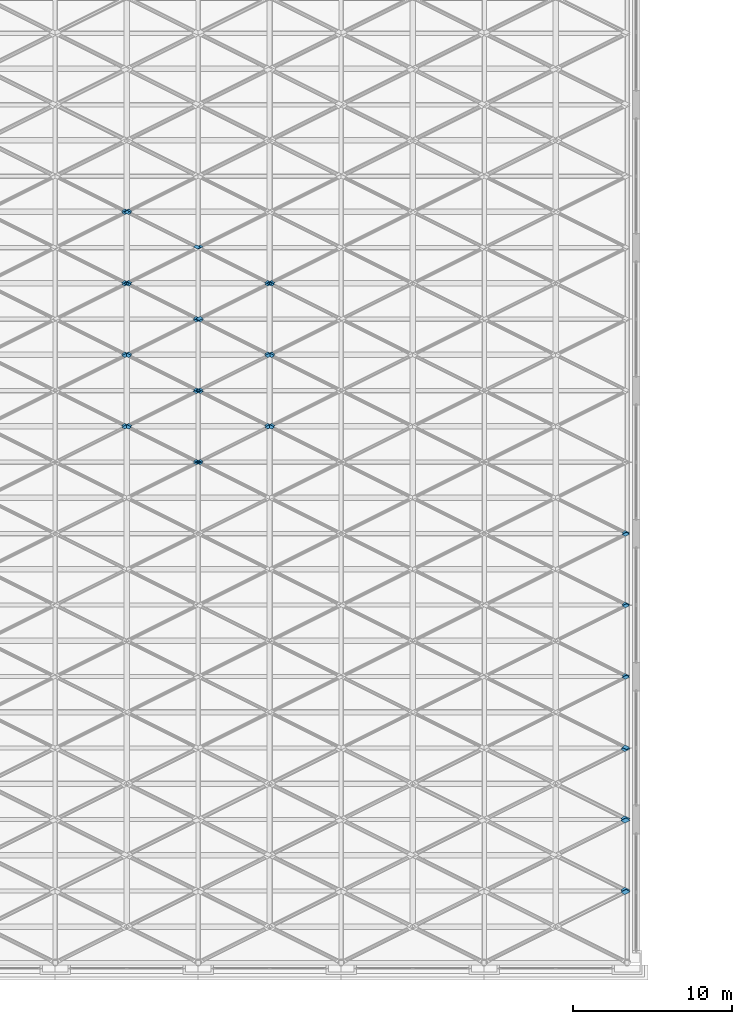
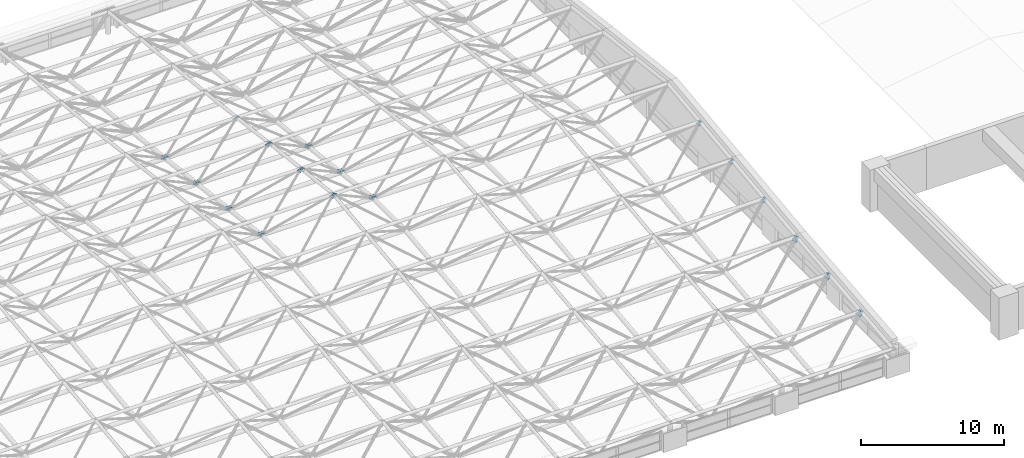
# One storey, part 47 of 53: 54 discrete accessories.
"""IFC4 building model written with IfcOpenShell, lengths in metres."""

from ifc_helpers import new_model, si_unit, direction, frame, origin, place, context, subcontext, project, spatial, polyline, outline, extrude, material, layer, layer_set, type_object, element, save


model = new_model("IFC4")

# Units and contexts
model_context = context("Model", 3, precision=1e-05, world=origin(), true_north=direction((0.0, 1.0)))
body_context = subcontext(model_context, "Body", "Model", "MODEL_VIEW")
ifc_project = project(units=[si_unit("LENGTHUNIT", "METRE"), si_unit("AREAUNIT", "SQUARE_METRE"), si_unit("VOLUMEUNIT", "CUBIC_METRE"), si_unit("PLANEANGLEUNIT", "RADIAN"), si_unit("MASSUNIT", "GRAM", prefix="KILO")], contexts=[model_context])

# Site, building, storey
site_placement = place(None, origin())
site = spatial("IfcSite", under=ifc_project, at=site_placement, CompositionType="ELEMENT")
building_placement = place(site_placement, origin())
building = spatial("IfcBuilding", under=site, at=building_placement, Name="Aravalli Gate Trade Fair Centre", CompositionType="ELEMENT")
storey_placement = place(building_placement, frame((0.0, 0.0, 25.199951171875)))
storey = spatial("IfcBuildingStorey", under=building, at=storey_placement, Name="ROOF LEVEL 2", CompositionType="ELEMENT", Elevation=25.199951171875)

# Discrete accessories
ifc_material = material(Name="Steel E350", Category="steel")
ifc_layer_1 = layer(ifc_material, 0.011962890625)
ifc_layer_set_1 = layer_set([ifc_layer_1], Name="Steel E350")
discrete_accessory_type_1 = type_object("IfcDiscreteAccessoryType", Name="Gusset plate 291 x 291 x 12", PredefinedType="USERDEFINED", material=ifc_layer_set_1)
for number, where, z_axis, x_axis, name in (
    (1, (104.681884765625, 59.546142578125, 3.103515625), (6.9765199e-05, 0.771154883137, 0.636647580178), (0.786233023991, -0.393446013556, 0.476484906794), "Gusset plate Space frame web diagonal D2B end A"),
    (2, (104.681884765625, 64.046142578125, 3.653564453125), (6.9765199e-05, 0.771154883137, 0.636647580178), (0.786233023991, -0.393446013556, 0.476484906794), "Gusset plate Space frame web diagonal D2B end A"),
):
    element("IfcDiscreteAccessory", number, at=place(storey_placement, frame(where, z_axis=z_axis, x_axis=x_axis)), inside=storey, type_object=discrete_accessory_type_1, Name=name, ObjectType="GUSSET PLATE", PredefinedType="USERDEFINED", context=body_context, shape_type="SweptSolid", body=[
        extrude(outline(polyline([(0.0, 0.0), (0.37044967171058096, 2.7755575615628914e-17), (0.3702947268495056, 0.290591407927876), (-0.0003468962829482891, 0.29044054608337494), (0.0, 0.0)])), origin(), (0.0, 0.0, -1.0), 0.011962890625),
    ])
discrete_accessory_1_placement = place(storey_placement, frame((104.68603515625, 63.94775390625, 3.634765625), z_axis=(5.9235462e-05, -0.824355565608, 0.566072343383), x_axis=(0.749660070237, 0.374676343996, 0.545552395598)))
element("IfcDiscreteAccessory", 3, at=discrete_accessory_1_placement, inside=storey, type_object=discrete_accessory_type_1, Name="Gusset plate Space frame web diagonal D2D end A", ObjectType="GUSSET PLATE", PredefinedType="USERDEFINED", context=body_context, shape_type="SweptSolid", body=[
    extrude(outline(polyline([(0.0, 0.0), (0.3706106892622231, -1.3877787807814457e-17), (0.3705593979521325, -0.2903753701380719), (-1.4603348369723879e-06, -0.29068782905287593), (0.0, 0.0)])), origin(), (0.0, 0.0, -1.0), 0.011962890625),
])
discrete_accessory_2_placement = place(storey_placement, frame((104.68603515625, 68.44775390625, 4.1845703125), z_axis=(5.9235462e-05, -0.824355565608, 0.566072343383), x_axis=(0.749390667151, 0.374849001628, 0.545803860343)))
element("IfcDiscreteAccessory", 4, at=discrete_accessory_2_placement, inside=storey, type_object=discrete_accessory_type_1, Name="Gusset plate Space frame web diagonal D2D end A", ObjectType="GUSSET PLATE", PredefinedType="USERDEFINED", context=body_context, shape_type="SweptSolid", body=[
    extrude(outline(polyline([(0.0, 0.0), (0.37074391146695085, 0.0), (0.3704411936966931, -0.2905261520174016), (1.3491831181253189e-05, -0.2905369775865267), (0.0, 0.0)])), origin(), (0.0, 0.0, -1.0), 0.011962890625),
])
for number, where, z_axis, x_axis, name in (
    (5, (104.681884765625, 68.546142578125, 4.203369140625), (-0.000259688153, 0.77158167438, 0.636130216483), (0.785986034617, -0.393126352276, 0.477155765483), "Gusset plate Space frame web diagonal D3B end A"),
    (6, (104.681884765625, 73.046142578125, 4.743408203125), (-0.000259688153, 0.77158167438, 0.636130216483), (0.785986034617, -0.393126352276, 0.477155765483), "Gusset plate Space frame web diagonal D3B end A"),
):
    element("IfcDiscreteAccessory", number, at=place(storey_placement, frame(where, z_axis=z_axis, x_axis=x_axis)), inside=storey, type_object=discrete_accessory_type_1, Name=name, ObjectType="GUSSET PLATE", PredefinedType="USERDEFINED", context=body_context, shape_type="SweptSolid", body=[
        extrude(outline(polyline([(0.0, 0.0), (0.3705660512246577, 1.3877787807814457e-17), (0.3702950470274762, 0.2905913076038385), (-0.0001750260838329909, 0.2904692096111498), (0.0, 0.0)])), origin(), (0.0, 0.0, -1.0), 0.011962890625),
    ])
discrete_accessory_3_placement = place(storey_placement, frame((78.121826171875, 77.324462890625, 5.08544921875), z_axis=(0.000136804439, -0.823750482353, 0.566952488404), x_axis=(-0.749929392198, 0.374964696099, 0.54498383774)))
element("IfcDiscreteAccessory", 7, at=discrete_accessory_3_placement, inside=storey, type_object=discrete_accessory_type_1, Name="Gusset plate Space frame web diagonal D3C end A", ObjectType="GUSSET PLATE", PredefinedType="USERDEFINED", context=body_context, shape_type="SweptSolid", body=[
    extrude(outline(polyline([(0.0, 0.0), (0.37047758647752815, -1.3877787807814457e-17), (0.37050220203048867, -0.2904791260615137), (2.461555296055795e-05, -0.2904791260615137), (0.0, 0.0)])), origin(), (0.0, 0.0, -1.0), 0.011962890625),
])
for number, where, z_axis, x_axis, name in (
    (8, (104.68603515625, 72.947998046875, 4.724853515625), (-0.000136804439, -0.823750482353, 0.566952488404), (0.749929392198, 0.374964696099, 0.54498383774), "Gusset plate Space frame web diagonal D3D end A"),
    (9, (77.68603515625, 77.447998046875, 5.264892578125), (-0.000136804439, -0.823750482353, 0.566952488404), (0.749929392198, 0.374964696099, 0.54498383774), "Gusset plate Space frame web diagonal D3D end A"),
    (10, (73.18603515625, 79.707763671875, 2.132080078125), (0.000136804439, 0.823750482353, 0.566952488404), (0.749929392198, 0.374964696099, -0.54498383774), "Gusset plate Space frame web diagonal D4A end B"),
):
    element("IfcDiscreteAccessory", number, at=place(storey_placement, frame(where, z_axis=z_axis, x_axis=x_axis)), inside=storey, type_object=discrete_accessory_type_1, Name=name, ObjectType="GUSSET PLATE", PredefinedType="USERDEFINED", context=body_context, shape_type="SweptSolid", body=[
        extrude(outline(polyline([(0.0, 0.0), (0.37047758647752815, 1.3877787807814457e-17), (0.37045297092456764, -0.2904791260615137), (-2.461555296055795e-05, -0.2904791260615137), (0.0, 0.0)])), origin(), (0.0, 0.0, -1.0), 0.011962890625),
    ])
discrete_accessory_4_placement = place(storey_placement, frame((78.121826171875, 77.675537109375, 5.08544921875), z_axis=(0.000136804439, 0.823750482353, 0.566952488404), x_axis=(-0.749929392198, -0.374964696099, 0.54498383774)))
element("IfcDiscreteAccessory", 11, at=discrete_accessory_4_placement, inside=storey, type_object=discrete_accessory_type_1, Name="Gusset plate Space frame web diagonal D4A end A", ObjectType="GUSSET PLATE", PredefinedType="USERDEFINED", context=body_context, shape_type="SweptSolid", body=[
    extrude(outline(polyline([(0.0, 0.0), (0.37047758647752815, 1.3877787807814457e-17), (0.37050220203048867, 0.2904791260615137), (2.461555296055795e-05, 0.2904791260615137), (0.0, 0.0)])), origin(), (0.0, 0.0, -1.0), 0.011962890625),
])
for number, where, z_axis, x_axis, name in (
    (12, (82.18603515625, 79.707763671875, 2.132080078125), (0.000136804439, 0.823750482353, 0.566952488404), (0.749929392198, 0.374964696099, -0.54498383774), "Gusset plate Space frame web diagonal D4A end B"),
    (13, (73.18603515625, 84.207763671875, 1.592041015625), (0.000136804439, 0.823750482353, 0.566952488404), (0.749929392198, 0.374964696099, -0.54498383774), "Gusset plate Space frame web diagonal D4A end B"),
):
    element("IfcDiscreteAccessory", number, at=place(storey_placement, frame(where, z_axis=z_axis, x_axis=x_axis)), inside=storey, type_object=discrete_accessory_type_1, Name=name, ObjectType="GUSSET PLATE", PredefinedType="USERDEFINED", context=body_context, shape_type="SweptSolid", body=[
        extrude(outline(polyline([(0.0, 0.0), (0.37047758647752815, 1.3877787807814457e-17), (0.37045297092456764, -0.2904791260615137), (-2.461555296055795e-05, -0.2904791260615137), (0.0, 0.0)])), origin(), (0.0, 0.0, -1.0), 0.011962890625),
    ])
discrete_accessory_5_placement = place(storey_placement, frame((78.121826171875, 82.175537109375, 4.54541015625), z_axis=(0.000136804439, 0.823750482353, 0.566952488404), x_axis=(-0.749929392198, -0.374964696099, 0.54498383774)))
element("IfcDiscreteAccessory", 14, at=discrete_accessory_5_placement, inside=storey, type_object=discrete_accessory_type_1, Name="Gusset plate Space frame web diagonal D4A end A", ObjectType="GUSSET PLATE", PredefinedType="USERDEFINED", context=body_context, shape_type="SweptSolid", body=[
    extrude(outline(polyline([(0.0, 0.0), (0.37047758647752815, 1.3877787807814457e-17), (0.37050220203048867, 0.2904791260615137), (2.461555296055795e-05, 0.2904791260615137), (0.0, 0.0)])), origin(), (0.0, 0.0, -1.0), 0.011962890625),
])
discrete_accessory_6_placement = place(storey_placement, frame((82.18603515625, 84.207763671875, 1.592041015625), z_axis=(0.000136804439, 0.823750482353, 0.566952488404), x_axis=(0.749929392198, 0.374964696099, -0.54498383774)))
element("IfcDiscreteAccessory", 15, at=discrete_accessory_6_placement, inside=storey, type_object=discrete_accessory_type_1, Name="Gusset plate Space frame web diagonal D4A end B", ObjectType="GUSSET PLATE", PredefinedType="USERDEFINED", context=body_context, shape_type="SweptSolid", body=[
    extrude(outline(polyline([(0.0, 0.0), (0.37047758647752815, 1.3877787807814457e-17), (0.37045297092456764, -0.2904791260615137), (-2.461555296055795e-05, -0.2904791260615137), (0.0, 0.0)])), origin(), (0.0, 0.0, -1.0), 0.011962890625),
])
discrete_accessory_7_placement = place(storey_placement, frame((77.68603515625, 77.552001953125, 5.264892578125), z_axis=(-0.000136804439, 0.823750482353, 0.566952488404), x_axis=(0.749929392198, -0.374964696099, 0.54498383774)))
element("IfcDiscreteAccessory", 16, at=discrete_accessory_7_placement, inside=storey, type_object=discrete_accessory_type_1, Name="Gusset plate Space frame web diagonal D4B end A", ObjectType="GUSSET PLATE", PredefinedType="USERDEFINED", context=body_context, shape_type="SweptSolid", body=[
    extrude(outline(polyline([(0.0, 0.0), (0.37047758647752815, -1.3877787807814457e-17), (0.37045297092456764, 0.2904791260615137), (-2.461555296055795e-05, 0.2904791260615137), (0.0, 0.0)])), origin(), (0.0, 0.0, -1.0), 0.011962890625),
])
for number, where, z_axis, x_axis, name in (
    (17, (73.621826171875, 79.584228515625, 2.3115234375), (-0.000136804439, 0.823750482353, 0.566952488404), (-0.749929392198, 0.374964696099, -0.54498383774), "Gusset plate Space frame web diagonal D4B end B"),
    (18, (82.621826171875, 79.584228515625, 2.3115234375), (-0.000136804439, 0.823750482353, 0.566952488404), (-0.749929392198, 0.374964696099, -0.54498383774), "Gusset plate Space frame web diagonal D4B end B"),
):
    element("IfcDiscreteAccessory", number, at=place(storey_placement, frame(where, z_axis=z_axis, x_axis=x_axis)), inside=storey, type_object=discrete_accessory_type_1, Name=name, ObjectType="GUSSET PLATE", PredefinedType="USERDEFINED", context=body_context, shape_type="SweptSolid", body=[
        extrude(outline(polyline([(0.0, 0.0), (0.37047758647752815, -1.3877787807814457e-17), (0.37050220203048867, -0.2904791260615137), (2.461555296055795e-05, -0.2904791260615137), (0.0, 0.0)])), origin(), (0.0, 0.0, -1.0), 0.011962890625),
    ])
discrete_accessory_8_placement = place(storey_placement, frame((77.68603515625, 82.052001953125, 4.724853515625), z_axis=(-0.000136804439, 0.823750482353, 0.566952488404), x_axis=(0.749929392198, -0.374964696099, 0.54498383774)))
element("IfcDiscreteAccessory", 19, at=discrete_accessory_8_placement, inside=storey, type_object=discrete_accessory_type_1, Name="Gusset plate Space frame web diagonal D4B end A", ObjectType="GUSSET PLATE", PredefinedType="USERDEFINED", context=body_context, shape_type="SweptSolid", body=[
    extrude(outline(polyline([(0.0, 0.0), (0.37047758647752815, -1.3877787807814457e-17), (0.37045297092456764, 0.2904791260615137), (-2.461555296055795e-05, 0.2904791260615137), (0.0, 0.0)])), origin(), (0.0, 0.0, -1.0), 0.011962890625),
])
for number, where, z_axis, x_axis, name in (
    (20, (73.621826171875, 84.084228515625, 1.771484375), (-0.000136804439, 0.823750482353, 0.566952488404), (-0.749929392198, 0.374964696099, -0.54498383774), "Gusset plate Space frame web diagonal D4B end B"),
    (21, (82.621826171875, 84.084228515625, 1.771484375), (-0.000136804439, 0.823750482353, 0.566952488404), (-0.749929392198, 0.374964696099, -0.54498383774), "Gusset plate Space frame web diagonal D4B end B"),
):
    element("IfcDiscreteAccessory", number, at=place(storey_placement, frame(where, z_axis=z_axis, x_axis=x_axis)), inside=storey, type_object=discrete_accessory_type_1, Name=name, ObjectType="GUSSET PLATE", PredefinedType="USERDEFINED", context=body_context, shape_type="SweptSolid", body=[
        extrude(outline(polyline([(0.0, 0.0), (0.37047758647752815, -1.3877787807814457e-17), (0.37050220203048867, -0.2904791260615137), (2.461555296055795e-05, -0.2904791260615137), (0.0, 0.0)])), origin(), (0.0, 0.0, -1.0), 0.011962890625),
    ])
discrete_accessory_9_placement = place(storey_placement, frame((73.181884765625, 79.786865234375, 2.1142578125), z_axis=(0.000259222443, -0.771843687699, 0.635812279342), x_axis=(0.78618965885, -0.392765328311, -0.477117613586)))
element("IfcDiscreteAccessory", 22, at=discrete_accessory_9_placement, inside=storey, type_object=discrete_accessory_type_1, Name="Gusset plate Space frame web diagonal D4C end B", ObjectType="GUSSET PLATE", PredefinedType="USERDEFINED", context=body_context, shape_type="SweptSolid", body=[
    extrude(outline(polyline([(0.0, 0.0), (0.3704701052045229, 2.7755575615628914e-17), (0.3703907868210381, 0.2904692667840814), (-7.931838348480824e-05, 0.2904692667840814), (0.0, 0.0)])), origin(), (0.0, 0.0, -1.0), 0.011962890625),
])
discrete_accessory_10_placement = place(storey_placement, frame((78.138671875, 81.80859375, 4.567138671875), z_axis=(0.000259688153, -0.77158167438, 0.636130216483), x_axis=(-0.786189750281, 0.392961505637, 0.476955901148)))
element("IfcDiscreteAccessory", 23, at=discrete_accessory_10_placement, inside=storey, type_object=discrete_accessory_type_1, Name="Gusset plate Space frame web diagonal D4C end A", ObjectType="GUSSET PLATE", PredefinedType="USERDEFINED", context=body_context, shape_type="SweptSolid", body=[
    extrude(outline(polyline([(0.0, 0.0), (0.37047009323158403, 1.3877787807814457e-17), (0.3706453255393415, -0.29059138113822636), (7.929444017017173e-05, -0.29046925152010133), (0.0, 0.0)])), origin(), (0.0, 0.0, -1.0), 0.011962890625),
])
discrete_accessory_11_placement = place(storey_placement, frame((82.181884765625, 79.786865234375, 2.1142578125), z_axis=(0.000259222443, -0.771843687699, 0.635812279342), x_axis=(0.78618965885, -0.392765328311, -0.477117613586)))
element("IfcDiscreteAccessory", 24, at=discrete_accessory_11_placement, inside=storey, type_object=discrete_accessory_type_1, Name="Gusset plate Space frame web diagonal D4C end B", ObjectType="GUSSET PLATE", PredefinedType="USERDEFINED", context=body_context, shape_type="SweptSolid", body=[
    extrude(outline(polyline([(0.0, 0.0), (0.3704701052045229, 2.7755575615628914e-17), (0.3703907868210381, 0.2904692667840814), (-7.931838348480824e-05, 0.2904692667840814), (0.0, 0.0)])), origin(), (0.0, 0.0, -1.0), 0.011962890625),
])
discrete_accessory_12_placement = place(storey_placement, frame((73.181884765625, 84.286865234375, 1.574462890625), z_axis=(0.000589123978, -0.771792295466, 0.635874441689), x_axis=(0.785942550469, -0.392803472142, -0.477493182816)))
element("IfcDiscreteAccessory", 25, at=discrete_accessory_12_placement, inside=storey, type_object=discrete_accessory_type_1, Name="Gusset plate Space frame web diagonal D4C end B", ObjectType="GUSSET PLATE", PredefinedType="USERDEFINED", context=body_context, shape_type="SweptSolid", body=[
    extrude(outline(polyline([(0.0, 0.0), (0.3705866429803553, 2.7755575615628914e-17), (0.37039124031354775, 0.29046920151748473), (-7.882718272163303e-05, 0.29032116611826925), (0.0, 0.0)])), origin(), (0.0, 0.0, -1.0), 0.011962890625),
])
discrete_accessory_13_placement = place(storey_placement, frame((78.138671875, 86.30859375, 4.027099609375), z_axis=(0.000259688153, -0.77158167438, 0.636130216483), x_axis=(-0.786189750281, 0.392961505637, 0.476955901148)))
element("IfcDiscreteAccessory", 26, at=discrete_accessory_13_placement, inside=storey, type_object=discrete_accessory_type_1, Name="Gusset plate Space frame web diagonal D4C end A", ObjectType="GUSSET PLATE", PredefinedType="USERDEFINED", context=body_context, shape_type="SweptSolid", body=[
    extrude(outline(polyline([(0.0, 0.0), (0.37047009323158403, 1.3877787807814457e-17), (0.3706453255393415, -0.29059138113822636), (7.929444017017173e-05, -0.29046925152010133), (0.0, 0.0)])), origin(), (0.0, 0.0, -1.0), 0.011962890625),
])
discrete_accessory_14_placement = place(storey_placement, frame((82.181884765625, 84.286865234375, 1.574462890625), z_axis=(0.000589123978, -0.771792295466, 0.635874441689), x_axis=(0.785942550469, -0.392803472142, -0.477493182816)))
element("IfcDiscreteAccessory", 27, at=discrete_accessory_14_placement, inside=storey, type_object=discrete_accessory_type_1, Name="Gusset plate Space frame web diagonal D4C end B", ObjectType="GUSSET PLATE", PredefinedType="USERDEFINED", context=body_context, shape_type="SweptSolid", body=[
    extrude(outline(polyline([(0.0, 0.0), (0.3705866429803553, 2.7755575615628914e-17), (0.37039124031354775, 0.29046920151748473), (-7.882718272163303e-05, 0.29032116611826925), (0.0, 0.0)])), origin(), (0.0, 0.0, -1.0), 0.011962890625),
])
discrete_accessory_15_placement = place(storey_placement, frame((77.681884765625, 81.953857421875, 4.743408203125), z_axis=(-0.000259688153, -0.77158167438, 0.636130216483), x_axis=(0.785986034617, 0.393126352276, 0.477155765483)))
element("IfcDiscreteAccessory", 28, at=discrete_accessory_15_placement, inside=storey, type_object=discrete_accessory_type_1, Name="Gusset plate Space frame web diagonal D4D end A", ObjectType="GUSSET PLATE", PredefinedType="USERDEFINED", context=body_context, shape_type="SweptSolid", body=[
    extrude(outline(polyline([(0.0, 0.0), (0.3705660512246577, -1.3877787807814457e-17), (0.3702950470274762, -0.2905913076038385), (-0.0001750260838329909, -0.2904692096111498), (0.0, 0.0)])), origin(), (0.0, 0.0, -1.0), 0.011962890625),
])
for number, where, z_axis, x_axis, name in (
    (29, (73.638671875, 79.93212890625, 2.29052734375), (-0.000259222443, -0.771843687699, 0.635812279342), (-0.78618965885, -0.392765328311, -0.477117613586), "Gusset plate Space frame web diagonal D4D end B"),
    (30, (82.638671875, 79.93212890625, 2.29052734375), (-0.000259222443, -0.771843687699, 0.635812279342), (-0.78618965885, -0.392765328311, -0.477117613586), "Gusset plate Space frame web diagonal D4D end B"),
):
    element("IfcDiscreteAccessory", number, at=place(storey_placement, frame(where, z_axis=z_axis, x_axis=x_axis)), inside=storey, type_object=discrete_accessory_type_1, Name=name, ObjectType="GUSSET PLATE", PredefinedType="USERDEFINED", context=body_context, shape_type="SweptSolid", body=[
        extrude(outline(polyline([(0.0, 0.0), (0.3704701052045229, -2.7755575615628914e-17), (0.3705494235880077, 0.29046926678408136), (7.931838348480824e-05, 0.2904692667840814), (0.0, 0.0)])), origin(), (0.0, 0.0, -1.0), 0.011962890625),
    ])
discrete_accessory_16_placement = place(storey_placement, frame((77.681884765625, 86.453857421875, 4.203369140625), z_axis=(-0.000259688153, -0.77158167438, 0.636130216483), x_axis=(0.785986034617, 0.393126352276, 0.477155765483)))
element("IfcDiscreteAccessory", 31, at=discrete_accessory_16_placement, inside=storey, type_object=discrete_accessory_type_1, Name="Gusset plate Space frame web diagonal D4D end A", ObjectType="GUSSET PLATE", PredefinedType="USERDEFINED", context=body_context, shape_type="SweptSolid", body=[
    extrude(outline(polyline([(0.0, 0.0), (0.3705660512246577, -1.3877787807814457e-17), (0.3702950470274762, -0.2905913076038385), (-0.0001750260838329909, -0.2904692096111498), (0.0, 0.0)])), origin(), (0.0, 0.0, -1.0), 0.011962890625),
])
for number, where, z_axis, x_axis, name in (
    (32, (73.638671875, 84.43212890625, 1.75048828125), (-0.000589123978, -0.771792295466, 0.635874441689), (-0.786189552673, -0.392603629975, -0.477250853324), "Gusset plate Space frame web diagonal D4D end B"),
    (33, (82.638671875, 84.43212890625, 1.75048828125), (-0.000589123978, -0.771792295466, 0.635874441689), (-0.786189552673, -0.392603629975, -0.477250853324), "Gusset plate Space frame web diagonal D4D end B"),
):
    element("IfcDiscreteAccessory", number, at=place(storey_placement, frame(where, z_axis=z_axis, x_axis=x_axis)), inside=storey, type_object=discrete_accessory_type_1, Name=name, ObjectType="GUSSET PLATE", PredefinedType="USERDEFINED", context=body_context, shape_type="SweptSolid", body=[
        extrude(outline(polyline([(0.0, 0.0), (0.3704700970728539, -1.3877787807814457e-17), (0.37054943172141785, 0.29046925640835186), (-3.7181673048419794e-05, 0.2903211744387922), (0.0, 0.0)])), origin(), (0.0, 0.0, -1.0), 0.011962890625),
    ])
discrete_accessory_17_placement = place(storey_placement, frame((73.18603515625, 88.707763671875, 1.047119140625), z_axis=(-0.000356491483, 0.824386555112, 0.566027102411), x_axis=(0.749660046124, 0.374830119882, -0.545446786108)))
element("IfcDiscreteAccessory", 34, at=discrete_accessory_17_placement, inside=storey, type_object=discrete_accessory_type_1, Name="Gusset plate Space frame web diagonal D5A end B", ObjectType="GUSSET PLATE", PredefinedType="USERDEFINED", context=body_context, shape_type="SweptSolid", body=[
    extrude(outline(polyline([(0.0, 0.0), (0.37061069570280314, 0.0), (0.3704262257769532, -0.2905262593825685), (-1.4474536517566916e-06, -0.29068783726431885), (0.0, 0.0)])), origin(), (0.0, 0.0, -1.0), 0.011962890625),
])
discrete_accessory_18_placement = place(storey_placement, frame((78.12158203125, 86.675537109375, 4.005126953125), z_axis=(-5.9235462e-05, 0.824355565608, 0.566072343383), x_axis=(-0.74937131646, -0.374861397834, 0.545821914622)))
element("IfcDiscreteAccessory", 35, at=discrete_accessory_18_placement, inside=storey, type_object=discrete_accessory_type_1, Name="Gusset plate Space frame web diagonal D5A end A", ObjectType="GUSSET PLATE", PredefinedType="USERDEFINED", context=body_context, shape_type="SweptSolid", body=[
    extrude(outline(polyline([(0.0, 0.0), (0.3704277020236978, 0.0), (0.37073891027907924, 0.290526143046557), (-5.001029550574798e-06, 0.29053697785674903), (0.0, 0.0)])), origin(), (0.0, 0.0, -1.0), 0.011962890625),
])
discrete_accessory_19_placement = place(storey_placement, frame((82.18603515625, 88.707763671875, 1.047119140625), z_axis=(-0.000356491483, 0.824386555112, 0.566027102411), x_axis=(0.749660046124, 0.374830119882, -0.545446786108)))
element("IfcDiscreteAccessory", 36, at=discrete_accessory_19_placement, inside=storey, type_object=discrete_accessory_type_1, Name="Gusset plate Space frame web diagonal D5A end B", ObjectType="GUSSET PLATE", PredefinedType="USERDEFINED", context=body_context, shape_type="SweptSolid", body=[
    extrude(outline(polyline([(0.0, 0.0), (0.37061069570280314, 0.0), (0.3704262257769532, -0.2905262593825685), (-1.4474536517566916e-06, -0.29068783726431885), (0.0, 0.0)])), origin(), (0.0, 0.0, -1.0), 0.011962890625),
])
discrete_accessory_20_placement = place(storey_placement, frame((73.18603515625, 93.207763671875, 0.4970703125), z_axis=(-0.000338926475, 0.824215745649, 0.566275807141), x_axis=(0.749929468437, 0.374811008577, -0.545089442403)))
element("IfcDiscreteAccessory", 37, at=discrete_accessory_20_placement, inside=storey, type_object=discrete_accessory_type_1, Name="Gusset plate Space frame web diagonal D5A end B", ObjectType="GUSSET PLATE", PredefinedType="USERDEFINED", context=body_context, shape_type="SweptSolid", body=[
    extrude(outline(polyline([(0.0, 0.0), (0.3704775800363668, -1.3877787807814457e-17), (0.37054452148215117, -0.29037536695413646), (0.00011695121776518491, -0.29068780553250784), (0.0, 0.0)])), origin(), (0.0, 0.0, -1.0), 0.011962890625),
])
discrete_accessory_21_placement = place(storey_placement, frame((78.12158203125, 91.175537109375, 3.455078125), z_axis=(-5.9235462e-05, 0.824355565608, 0.566072343383), x_axis=(-0.74910175115, -0.37503400761, 0.546073309694)))
element("IfcDiscreteAccessory", 38, at=discrete_accessory_21_placement, inside=storey, type_object=discrete_accessory_type_1, Name="Gusset plate Space frame web diagonal D5A end A", ObjectType="GUSSET PLATE", PredefinedType="USERDEFINED", context=body_context, shape_type="SweptSolid", body=[
    extrude(outline(polyline([(0.0, 0.0), (0.37056099002046733, 1.3877787807814457e-17), (0.3708571273038952, 0.29037522366126584), (0.00024656979283793623, 0.29068772448272373), (0.0, 0.0)])), origin(), (0.0, 0.0, -1.0), 0.011962890625),
])
discrete_accessory_22_placement = place(storey_placement, frame((77.68603515625, 86.55224609375, 4.1845703125), z_axis=(5.9235462e-05, 0.824355565608, 0.566072343383), x_axis=(0.749390667151, -0.374849001628, 0.545803860343)))
element("IfcDiscreteAccessory", 39, at=discrete_accessory_22_placement, inside=storey, type_object=discrete_accessory_type_1, Name="Gusset plate Space frame web diagonal D5B end A", ObjectType="GUSSET PLATE", PredefinedType="USERDEFINED", context=body_context, shape_type="SweptSolid", body=[
    extrude(outline(polyline([(0.0, 0.0), (0.37074391146695085, 0.0), (0.3704411936966931, 0.2905261520174016), (1.3491831181253189e-05, 0.2905369775865267), (0.0, 0.0)])), origin(), (0.0, 0.0, -1.0), 0.011962890625),
])
for number, where, z_axis, x_axis, name in (
    (40, (73.62158203125, 88.58447265625, 1.226806640625), (0.000356491483, 0.824386555112, 0.566027102411), (-0.749371292409, 0.375015088164, -0.54571636384), "Gusset plate Space frame web diagonal D5B end B"),
    (41, (82.62158203125, 88.58447265625, 1.226806640625), (0.000356491483, 0.824386555112, 0.566027102411), (-0.749371292409, 0.375015088164, -0.54571636384), "Gusset plate Space frame web diagonal D5B end B"),
):
    element("IfcDiscreteAccessory", number, at=place(storey_placement, frame(where, z_axis=z_axis, x_axis=x_axis)), inside=storey, type_object=discrete_accessory_type_1, Name=name, ObjectType="GUSSET PLATE", PredefinedType="USERDEFINED", context=body_context, shape_type="SweptSolid", body=[
        extrude(outline(polyline([(0.0, 0.0), (0.3704277084701571, -1.3877787807814457e-17), (0.3707389038272042, -0.29052615127976134), (0.00012824338136119273, -0.2906878089792164), (0.0, 0.0)])), origin(), (0.0, 0.0, -1.0), 0.011962890625),
    ])
discrete_accessory_23_placement = place(storey_placement, frame((77.68603515625, 91.05224609375, 3.634765625), z_axis=(5.9235462e-05, 0.824355565608, 0.566072343383), x_axis=(0.749660070237, -0.374676343996, 0.545552395598)))
element("IfcDiscreteAccessory", 42, at=discrete_accessory_23_placement, inside=storey, type_object=discrete_accessory_type_1, Name="Gusset plate Space frame web diagonal D5B end A", ObjectType="GUSSET PLATE", PredefinedType="USERDEFINED", context=body_context, shape_type="SweptSolid", body=[
    extrude(outline(polyline([(0.0, 0.0), (0.3706106892622231, 1.3877787807814457e-17), (0.3705593979521325, 0.2903753701380719), (-1.4603348369723879e-06, 0.29068782905287593), (0.0, 0.0)])), origin(), (0.0, 0.0, -1.0), 0.011962890625),
])
discrete_accessory_24_placement = place(storey_placement, frame((73.62158203125, 93.08447265625, 0.6767578125), z_axis=(0.000338926475, 0.824215745649, 0.566275807141), x_axis=(-0.74937124219, 0.375168906268, -0.545610697428)))
element("IfcDiscreteAccessory", 43, at=discrete_accessory_24_placement, inside=storey, type_object=discrete_accessory_type_1, Name="Gusset plate Space frame web diagonal D5B end B", ObjectType="GUSSET PLATE", PredefinedType="USERDEFINED", context=body_context, shape_type="SweptSolid", body=[
    extrude(outline(polyline([(0.0, 0.0), (0.3704277020281311, -2.7755575615628914e-17), (0.37060567875441897, -0.29037532012757467), (0.00012823049953920862, -0.29068780077573153), (0.0, 0.0)])), origin(), (0.0, 0.0, -1.0), 0.011962890625),
])
for number, where, z_axis, x_axis, name in (
    (44, (73.181884765625, 88.786865234375, 1.029052734375), (-6.9765199e-05, -0.771154883137, 0.636647580178), (0.786233023991, -0.393446013556, -0.476484906794), "Gusset plate Space frame web diagonal D5C end B"),
    (45, (82.181884765625, 88.786865234375, 1.029052734375), (-6.9765199e-05, -0.771154883137, 0.636647580178), (0.786233023991, -0.393446013556, -0.476484906794), "Gusset plate Space frame web diagonal D5C end B"),
):
    element("IfcDiscreteAccessory", number, at=place(storey_placement, frame(where, z_axis=z_axis, x_axis=x_axis)), inside=storey, type_object=discrete_accessory_type_1, Name=name, ObjectType="GUSSET PLATE", PredefinedType="USERDEFINED", context=body_context, shape_type="SweptSolid", body=[
        extrude(outline(polyline([(0.0, 0.0), (0.37044967171058096, 2.7755575615628914e-17), (0.3702947268495056, 0.290591407927876), (-0.0003468962829482891, 0.29044054608337494), (0.0, 0.0)])), origin(), (0.0, 0.0, -1.0), 0.011962890625),
    ])
discrete_accessory_25_placement = place(storey_placement, frame((73.181884765625, 93.286865234375, 0.479248046875), z_axis=(0.000260921892, -0.770886805608, 0.636972106814), x_axis=(0.786233024012, -0.393446097564, -0.476484837392)))
element("IfcDiscreteAccessory", 46, at=discrete_accessory_25_placement, inside=storey, type_object=discrete_accessory_type_1, Name="Gusset plate Space frame web diagonal D5C end B", ObjectType="GUSSET PLATE", PredefinedType="USERDEFINED", context=body_context, shape_type="SweptSolid", body=[
    extrude(outline(polyline([(0.0, 0.0), (0.3704496717105797, 1.3877787807814457e-17), (0.37041105616888137, 0.29044341854454775), (-0.00023056696357631745, 0.2902925567125407), (0.0, 0.0)])), origin(), (0.0, 0.0, -1.0), 0.011962890625),
])
for number, where, z_axis, x_axis, name in (
    (47, (73.638916015625, 88.932373046875, 1.205322265625), (6.9765199e-05, -0.771154883137, 0.636647580178), (-0.786484474244, -0.393242254842, -0.476238071536), "Gusset plate Space frame web diagonal D5D end B"),
    (48, (82.638916015625, 88.932373046875, 1.205322265625), (6.9765199e-05, -0.771154883137, 0.636647580178), (-0.786484474244, -0.393242254842, -0.476238071536), "Gusset plate Space frame web diagonal D5D end B"),
):
    element("IfcDiscreteAccessory", number, at=place(storey_placement, frame(where, z_axis=z_axis, x_axis=x_axis)), inside=storey, type_object=discrete_accessory_type_1, Name=name, ObjectType="GUSSET PLATE", PredefinedType="USERDEFINED", context=body_context, shape_type="SweptSolid", body=[
        extrude(outline(polyline([(0.0, 0.0), (0.37064165383501635, -1.3877787807814457e-17), (0.3706783195979393, 0.29059144692340316), (0.00022867857401766278, 0.2904406632211646), (0.0, 0.0)])), origin(), (0.0, 0.0, -1.0), 0.011962890625),
    ])
discrete_accessory_26_placement = place(storey_placement, frame((73.638916015625, 93.432373046875, 0.6552734375), z_axis=(-0.000260921892, -0.770886805608, 0.636972106814), x_axis=(-0.786484474223, -0.393242170877, -0.476238140902)))
element("IfcDiscreteAccessory", 49, at=discrete_accessory_26_placement, inside=storey, type_object=discrete_accessory_type_1, Name="Gusset plate Space frame web diagonal D5D end B", ObjectType="GUSSET PLATE", PredefinedType="USERDEFINED", context=body_context, shape_type="SweptSolid", body=[
    extrude(outline(polyline([(0.0, 0.0), (0.37064165383501513, -1.3877787807814457e-17), (0.37056205053393565, 0.29044341020294784), (0.00011240951001027788, 0.2902926265131968), (0.0, 0.0)])), origin(), (0.0, 0.0, -1.0), 0.011962890625),
])
ifc_layer_2 = layer(ifc_material, 0.011962890625)
ifc_layer_set_2 = layer_set([ifc_layer_2], Name="Steel E350")
discrete_accessory_type_2 = type_object("IfcDiscreteAccessoryType", Name="Gusset plate 367 x 367 x 12", PredefinedType="USERDEFINED", material=ifc_layer_set_2)
for number, where, z_axis, x_axis, name in (
    (50, (104.5986328125, 50.557861328125, 2.188232421875), (0.000106895173, 0.77673595722, 0.629826358082), (0.783044443413, -0.391795440284, 0.483050445204), "Gusset plate Space frame web diagonal D1B end A"),
    (51, (104.5986328125, 55.057861328125, 2.63818359375), (0.000106895173, 0.77673595722, 0.629826358082), (0.783044443413, -0.391795440284, 0.483050445204), "Gusset plate Space frame web diagonal D1B end A"),
):
    element("IfcDiscreteAccessory", number, at=place(storey_placement, frame(where, z_axis=z_axis, x_axis=x_axis)), inside=storey, type_object=discrete_accessory_type_2, Name=name, ObjectType="GUSSET PLATE", PredefinedType="USERDEFINED", context=body_context, shape_type="SweptSolid", body=[
        extrude(outline(polyline([(0.0, 0.0), (0.4467862821424865, 0.0), (0.4468639253124893, 0.3669184164565776), (7.764317000273635e-05, 0.36691841645657763), (0.0, 0.0)])), origin(), (0.0, 0.0, -1.0), 0.011962890625),
    ])
discrete_accessory_27_placement = place(storey_placement, frame((104.603271484375, 50.43603515625, 2.1689453125), z_axis=(0.000292195819, -0.820164189793, 0.572128146837), x_axis=(0.753132087854, 0.376566043927, 0.539434956975)))
element("IfcDiscreteAccessory", 52, at=discrete_accessory_27_placement, inside=storey, type_object=discrete_accessory_type_2, Name="Gusset plate Space frame web diagonal D1D end A", ObjectType="GUSSET PLATE", PredefinedType="USERDEFINED", context=body_context, shape_type="SweptSolid", body=[
    extrude(outline(polyline([(0.0, 0.0), (0.4467022275054028, 2.7755575615628914e-17), (0.4466682021894723, -0.366693771917302), (-3.402531593046931e-05, -0.366693771917302), (0.0, 0.0)])), origin(), (0.0, 0.0, -1.0), 0.011962890625),
])
discrete_accessory_28_placement = place(storey_placement, frame((104.603271484375, 54.93603515625, 2.618896484375), z_axis=(4.9126691e-05, -0.820140995503, 0.572161467667), x_axis=(0.753132104741, 0.376437815746, 0.539524423623)))
element("IfcDiscreteAccessory", 53, at=discrete_accessory_28_placement, inside=storey, type_object=discrete_accessory_type_2, Name="Gusset plate Space frame web diagonal D1D end A", ObjectType="GUSSET PLATE", PredefinedType="USERDEFINED", context=body_context, shape_type="SweptSolid", body=[
    extrude(outline(polyline([(0.0, 0.0), (0.4467022220451944, 0.0), (0.44679990563841726, -0.3665429613078707), (-3.4036236763179684e-05, -0.3666937652647241), (0.0, 0.0)])), origin(), (0.0, 0.0, -1.0), 0.011962890625),
])
discrete_accessory_29_placement = place(storey_placement, frame((104.603271484375, 59.43603515625, 3.06884765625), z_axis=(5.6748583e-05, -0.820281851296, 0.571959510117), x_axis=(0.752910033129, 0.376455016564, 0.539822287904)))
element("IfcDiscreteAccessory", 54, at=discrete_accessory_29_placement, inside=storey, type_object=discrete_accessory_type_2, Name="Gusset plate Space frame web diagonal D1D end A", ObjectType="GUSSET PLATE", PredefinedType="USERDEFINED", context=body_context, shape_type="SweptSolid", body=[
    extrude(outline(polyline([(0.0, 0.0), (0.44683397278152426, -2.7755575615628914e-17), (0.446676168543117, -0.36669373954089096), (-0.0001578042384072914, -0.3666937395408909), (0.0, 0.0)])), origin(), (0.0, 0.0, -1.0), 0.011962890625),
])

save(model, "model.ifc")
